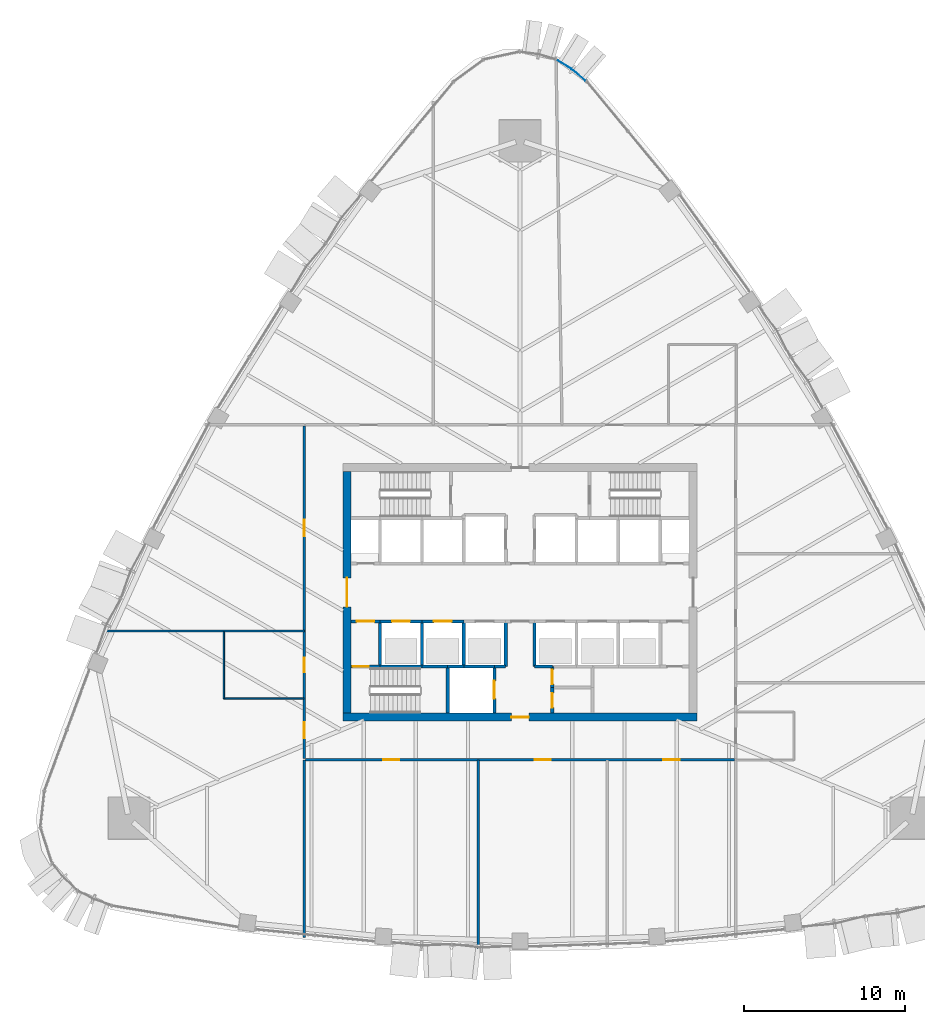
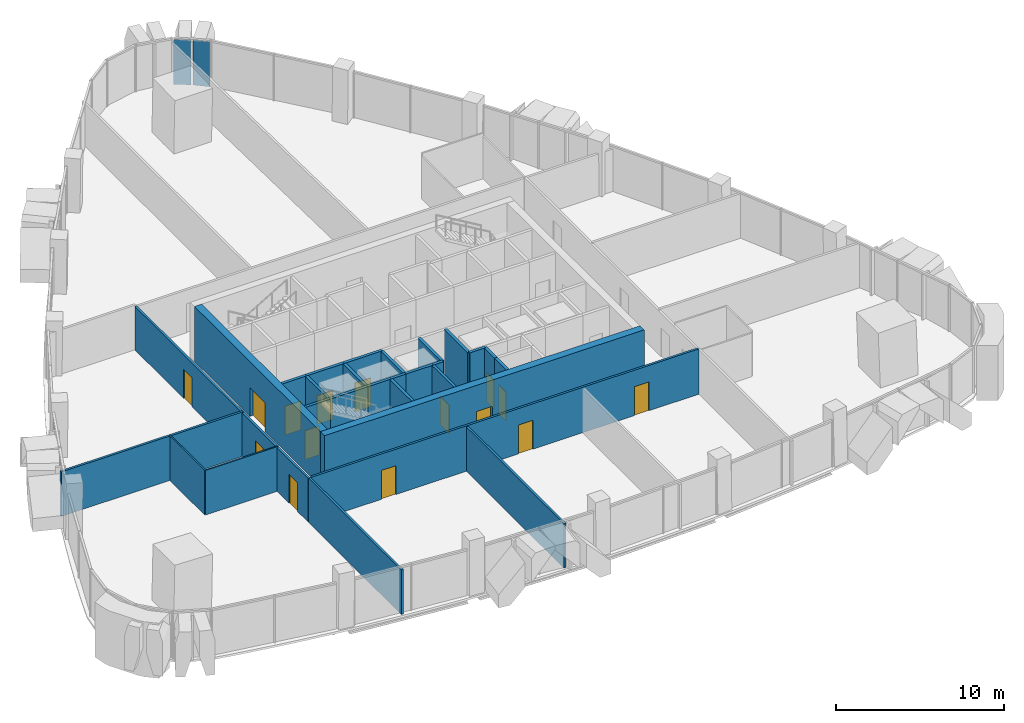
# One storey, part 10 of 17: 28 walls, 15 doors, 2 plates, 15 openings, 1 element without a shape of its own.
"""IFC4 building model written with IfcOpenShell, lengths in metres."""

from ifc_helpers import new_model, si_unit, direction, frame, frame_2d, origin, place, context, subcontext, project, spatial, polyline, rectangle, outline, extrude, material, layer, layer_set, type_object, element, fill, aggregate, save


model = new_model("IFC4")

# Units and contexts
model_context = context("Model", 3, precision=1e-05, world=origin(), true_north=direction((0.0, 1.0)))
body_context = subcontext(model_context, "Body", "Model", "MODEL_VIEW")
ifc_project = project(units=[si_unit("LENGTHUNIT", "METRE"), si_unit("AREAUNIT", "SQUARE_METRE"), si_unit("VOLUMEUNIT", "CUBIC_METRE"), si_unit("PLANEANGLEUNIT", "RADIAN"), si_unit("MASSUNIT", "GRAM", prefix="KILO")], contexts=[model_context])

# Site, building, storey
site_placement = place(None, origin())
site = spatial("IfcSite", under=ifc_project, at=site_placement, CompositionType="ELEMENT")
building_placement = place(site_placement, origin())
building = spatial("IfcBuilding", under=site, at=building_placement, Name="Sierra Prisma Convention Tower", CompositionType="ELEMENT")
storey_placement = place(building_placement, frame((0.0, 0.0, 153.800048828125)))
storey = spatial("IfcBuildingStorey", under=building, at=storey_placement, Name="L33", CompositionType="ELEMENT", Elevation=153.800048828125)

# Curtain wall, plates
ifc_material_1 = material(Name="Aluminium and glass curtain wall", Category="aluminium")
ifc_layer_1 = layer(ifc_material_1, 0.179931640625)
ifc_layer_set_1 = layer_set([ifc_layer_1], Name="CW-2 Faceted crystal curtain wall")
curtain_wall_type = type_object("IfcCurtainWallType", Name="CW-2 Faceted crystal curtain wall", PredefinedType="NOTDEFINED", material=ifc_layer_set_1)
curtain_wall_placement = place(storey_placement, origin())
curtain_wall = element("IfcCurtainWall", 1, at=curtain_wall_placement, inside=storey, type_object=curtain_wall_type, Name="CW-2 N1 L33", PredefinedType="NOTDEFINED")
ifc_material_2 = material(Name="Tinted glass bronze-grey IGU", Category="glass")
ifc_layer_2 = layer(ifc_material_2, 0.028076171875)
ifc_layer_set_2 = layer_set([ifc_layer_2], Name="CW-2 crystal pane")
plate_type = type_object("IfcPlateType", Name="CW-2 crystal pane", PredefinedType="CURTAIN_PANEL", material=ifc_layer_set_2)
plate_1_placement = place(storey_placement, frame((4.075439453125, 31.773193359375, 0.0), z_axis=(0.653762216473, 0.756700049103, 0.0), x_axis=(-0.756700049103, 0.653762216473, 0.0)))
plate_1 = element("IfcPlate", 2, at=plate_1_placement, type_object=plate_type, Name="CW-2 pane N1.1.1", PredefinedType="CURTAIN_PANEL", context=body_context, shape_type="SweptSolid", body=[
    extrude(outline(polyline([(0.0, 0.0), (1.0269585819324307, 0.0), (1.0269585819324307, 3.280029296875), (0.0, 3.280029296875), (0.0, 0.0)])), origin(), (0.0, 0.0, -1.0), 0.028076171875),
])
plate_2_placement = place(storey_placement, frame((2.32177734375, 33.062744140625, 0.0), z_axis=(0.527410214129, 0.849610773256, 0.0), x_axis=(0.849610773256, -0.527410214129, 0.0)))
plate_2 = element("IfcPlate", 3, at=plate_2_placement, type_object=plate_type, Name="CW-2 pane N1.1.2", PredefinedType="CURTAIN_PANEL", context=body_context, shape_type="SweptSolid", body=[
    extrude(outline(polyline([(0.0, 0.0), (1.026722448188787, 0.0), (1.026722448188787, -3.280029296875), (0.0, -3.280029296875), (0.0, 0.0)])), origin(), (0.0, 0.0, -1.0), 0.028076171875),
])
aggregate(curtain_wall, [plate_1, plate_2])

# Walls
ifc_material_3 = material(Name="Gypsum board partition", Category="gypsum")
ifc_layer_3 = layer(ifc_material_3, 0.10009765625)
ifc_layer_set_3 = layer_set([ifc_layer_3], Name="Bathroom partition 100")
wall_type_1 = type_object("IfcWallType", Name="Bathroom partition 100", PredefinedType="PARTITIONING", material=ifc_layer_set_3)
wall_1_placement = place(storey_placement, frame((-13.429931640625, -6.60009765625, 0.0), z_axis=(0.0, 0.0, 1.0), x_axis=(-1.0, 0.0, 0.0)))
element("IfcWall", 4, at=wall_1_placement, inside=storey, type_object=wall_type_1, Name="Partition L33 bath 1", PredefinedType="PARTITIONING", context=body_context, shape_type="SweptSolid", body=[
    extrude(rectangle(XDim=4.969970703125, YDim=0.10009765625, at=frame_2d((2.48486328125, 0.0))), origin(), (0.0, 0.0, 1.0), 3.2470703125),
])
wall_2_placement = place(storey_placement, frame((-18.39990234375, -6.60009765625, 0.0), z_axis=(0.0, 0.0, 1.0), x_axis=(0.0, 1.0, 0.0)))
element("IfcWall", 5, at=wall_2_placement, inside=storey, type_object=wall_type_1, Name="Partition L33 bath 2", PredefinedType="PARTITIONING", context=body_context, shape_type="SweptSolid", body=[
    extrude(rectangle(XDim=4.170166015625, YDim=0.10009765625, at=frame_2d((2.0849609375, 0.0))), origin(), (0.0, 0.0, 1.0), 3.2470703125),
])

# Wall, opening, door
ifc_material_4 = material(Name="Concrete C30/37", Category="concrete")
ifc_layer_4 = layer(ifc_material_4, 0.199951171875)
ifc_layer_set_4 = layer_set([ifc_layer_4], Name="Core wall RC 200 C30/37")
wall_type_2 = type_object("IfcWallType", Name="Core wall RC 200 C30/37", PredefinedType="SOLIDWALL", material=ifc_layer_set_4)
wall_3_placement = place(storey_placement, frame((-10.5, -4.60009765625, 0.0), z_axis=(0.0, 0.0, 1.0), x_axis=(1.0, 0.0, 0.0)))
wall_3 = element("IfcWall", 6, at=wall_3_placement, inside=storey, type_object=wall_type_2, Name="Core wall L33 1", PredefinedType="SOLIDWALL", context=body_context, shape_type="SweptSolid", body=[
    extrude(rectangle(XDim=1.800048828125, YDim=0.199951171875, at=frame_2d((0.89990234375, 0.0))), origin(), (0.0, 0.0, 1.0), 3.849853515625),
])
opening_1_placement = place(wall_3_placement, frame((0.10009765625, 0.0, 0.0)))
opening_1 = element("IfcOpeningElement", 7, at=opening_1_placement, cuts=wall_3, Name="Opening L33-D015", PredefinedType="OPENING", context=body_context, shape_type="SweptSolid", body=[
    extrude(rectangle(XDim=1.0, YDim=2.10009765625, at=frame_2d((0.5, 1.050048828125))), frame((0.0, 0.10009765625, 0.0), z_axis=(0.0, -1.0, 0.0), x_axis=(1.0, 0.0, 0.0)), (0.0, 0.0, 1.0), 0.199951171875),
])
ifc_material_5 = material(Name="Steel fire door leaf", Category="steel")
door_type_1 = type_object("IfcDoorType", Name="Door 1000x2100 FD90S", OperationType="SINGLE_SWING_LEFT", PredefinedType="DOOR", material=ifc_material_5)
door_1_placement = place(opening_1_placement, origin())
door_1 = element("IfcDoor", 8, at=door_1_placement, inside=storey, type_object=door_type_1, Name="Door L33 29", OperationType="SINGLE_SWING_LEFT", OverallHeight=2.10009765625, OverallWidth=1.0, PredefinedType="DOOR", context=body_context, shape_type="SweptSolid", body=[
    extrude(rectangle(XDim=1.0, YDim=2.10009765625, at=frame_2d((0.5, 1.050048828125))), frame((0.0, 0.02490234375, 0.0), z_axis=(0.0, -1.0, 0.0), x_axis=(1.0, 0.0, 0.0)), (0.0, 0.0, 1.0), 0.050048828125),
])
fill(opening_1, door_1)

wall_4_placement = place(storey_placement, frame((-10.5, -1.800048828125, 0.0), z_axis=(0.0, 0.0, 1.0), x_axis=(1.0, 0.0, 0.0)))
wall_4 = element("IfcWall", 9, at=wall_4_placement, inside=storey, type_object=wall_type_2, Name="Core wall L33 2", PredefinedType="SOLIDWALL", context=body_context, shape_type="SweptSolid", body=[
    extrude(rectangle(XDim=1.800048828125, YDim=0.199951171875, at=frame_2d((0.89990234375, 0.0))), origin(), (0.0, 0.0, 1.0), 3.849853515625),
])
opening_2_placement = place(wall_4_placement, frame((0.35009765625, 0.0, 0.0)))
opening_2 = element("IfcOpeningElement", 10, at=opening_2_placement, cuts=wall_4, Name="Opening L33-D010", PredefinedType="OPENING", context=body_context, shape_type="SweptSolid", body=[
    extrude(rectangle(XDim=1.10009765625, YDim=2.10009765625, at=frame_2d((0.550048828125, 1.050048828125))), frame((0.0, 0.10009765625, 0.0), z_axis=(0.0, -1.0, 0.0), x_axis=(1.0, 0.0, 0.0)), (0.0, 0.0, 1.0), 0.199951171875),
])
ifc_material_6 = material(Name="Steel fire door leaf", Category="steel")
door_type_2 = type_object("IfcDoorType", Name="Door 1100x2100 FD90S", OperationType="SINGLE_SWING_LEFT", PredefinedType="DOOR", material=ifc_material_6)
door_2_placement = place(opening_2_placement, origin())
door_2 = element("IfcDoor", 11, at=door_2_placement, inside=storey, type_object=door_type_2, Name="Door L33 24", OperationType="SINGLE_SWING_RIGHT", OverallHeight=2.10009765625, OverallWidth=1.10009765625, PredefinedType="DOOR", context=body_context, shape_type="SweptSolid", body=[
    extrude(rectangle(XDim=1.10009765625, YDim=2.10009765625, at=frame_2d((0.550048828125, 1.050048828125))), frame((0.0, 0.02490234375, 0.0), z_axis=(0.0, -1.0, 0.0), x_axis=(1.0, 0.0, 0.0)), (0.0, 0.0, 1.0), 0.050048828125),
])
fill(opening_2, door_2)

# Walls
wall_5_placement = place(storey_placement, frame((-8.699951171875, -4.60009765625, 0.0), z_axis=(0.0, 0.0, 1.0), x_axis=(1.0, 0.0, 0.0)))
element("IfcWall", 12, at=wall_5_placement, inside=storey, type_object=wall_type_2, Name="Core wall L33 5", PredefinedType="SOLIDWALL", context=body_context, shape_type="SweptSolid", body=[
    extrude(rectangle(XDim=2.599853515625, YDim=0.199951171875, at=frame_2d((1.2998046875, 0.0))), origin(), (0.0, 0.0, 1.0), 3.849853515625),
])
wall_6_placement = place(storey_placement, frame((-8.699951171875, -4.60009765625, 0.0), z_axis=(0.0, 0.0, 1.0), x_axis=(0.0, 1.0, 0.0)))
element("IfcWall", 13, at=wall_6_placement, inside=storey, type_object=wall_type_2, Name="Core wall L33 6", PredefinedType="SOLIDWALL", context=body_context, shape_type="SweptSolid", body=[
    extrude(rectangle(XDim=2.800048828125, YDim=0.199951171875, at=frame_2d((1.39990234375, 0.0))), origin(), (0.0, 0.0, 1.0), 3.849853515625),
])

# Wall, opening, door
wall_7_placement = place(storey_placement, frame((-8.699951171875, -1.800048828125, 0.0), z_axis=(0.0, 0.0, 1.0), x_axis=(1.0, 0.0, 0.0)))
wall_7 = element("IfcWall", 14, at=wall_7_placement, inside=storey, type_object=wall_type_2, Name="Core wall L33 7", PredefinedType="SOLIDWALL", context=body_context, shape_type="SweptSolid", body=[
    extrude(rectangle(XDim=2.599853515625, YDim=0.199951171875, at=frame_2d((1.2998046875, 0.0))), origin(), (0.0, 0.0, 1.0), 3.849853515625),
])
opening_3_placement = place(wall_7_placement, frame((0.75, 0.0, 0.0)))
opening_3 = element("IfcOpeningElement", 15, at=opening_3_placement, cuts=wall_7, Name="Opening L33-D001", PredefinedType="OPENING", context=body_context, shape_type="SweptSolid", body=[
    extrude(rectangle(XDim=1.10009765625, YDim=2.10009765625, at=frame_2d((0.550048828125, 1.050048828125))), frame((0.0, 0.10009765625, 0.0), z_axis=(0.0, -1.0, 0.0), x_axis=(1.0, 0.0, 0.0)), (0.0, 0.0, 1.0), 0.199951171875),
])
ifc_material_7 = material(Name="Steel fire door leaf", Category="steel")
door_type_3 = type_object("IfcDoorType", Name="Door 1100x2100 EI 90 sliding lift landing", OperationType="SLIDING_TO_LEFT", PredefinedType="DOOR", material=ifc_material_7)
door_3_placement = place(opening_3_placement, origin())
door_3 = element("IfcDoor", 16, at=door_3_placement, inside=storey, type_object=door_type_3, Name="Door L33 15", OperationType="SLIDING_TO_RIGHT", OverallHeight=2.10009765625, OverallWidth=1.10009765625, PredefinedType="DOOR", context=body_context, shape_type="SweptSolid", body=[
    extrude(rectangle(XDim=1.10009765625, YDim=2.10009765625, at=frame_2d((0.550048828125, 1.050048828125))), frame((0.0, 0.02490234375, 0.0), z_axis=(0.0, -1.0, 0.0), x_axis=(1.0, 0.0, 0.0)), (0.0, 0.0, 1.0), 0.050048828125),
])
fill(opening_3, door_3)

# Walls
wall_8_placement = place(storey_placement, frame((-6.10009765625, -4.60009765625, 0.0), z_axis=(0.0, 0.0, 1.0), x_axis=(1.0, 0.0, 0.0)))
element("IfcWall", 17, at=wall_8_placement, inside=storey, type_object=wall_type_2, Name="Core wall L33 11", PredefinedType="SOLIDWALL", context=body_context, shape_type="SweptSolid", body=[
    extrude(rectangle(XDim=1.60009765625, YDim=0.199951171875, at=frame_2d((0.800048828125, 0.0))), origin(), (0.0, 0.0, 1.0), 3.849853515625),
])
wall_9_placement = place(storey_placement, frame((-6.10009765625, -4.60009765625, 0.0), z_axis=(0.0, 0.0, 1.0), x_axis=(0.0, 1.0, 0.0)))
element("IfcWall", 18, at=wall_9_placement, inside=storey, type_object=wall_type_2, Name="Core wall L33 12", PredefinedType="SOLIDWALL", context=body_context, shape_type="SweptSolid", body=[
    extrude(rectangle(XDim=2.800048828125, YDim=0.199951171875, at=frame_2d((1.39990234375, 0.0))), origin(), (0.0, 0.0, 1.0), 3.849853515625),
])

# Wall, opening, door
wall_10_placement = place(storey_placement, frame((-6.10009765625, -1.800048828125, 0.0), z_axis=(0.0, 0.0, 1.0), x_axis=(1.0, 0.0, 0.0)))
wall_10 = element("IfcWall", 19, at=wall_10_placement, inside=storey, type_object=wall_type_2, Name="Core wall L33 13", PredefinedType="SOLIDWALL", context=body_context, shape_type="SweptSolid", body=[
    extrude(rectangle(XDim=2.60009765625, YDim=0.199951171875, at=frame_2d((1.300048828125, 0.0))), origin(), (0.0, 0.0, 1.0), 3.849853515625),
])
opening_4_placement = place(wall_10_placement, frame((0.75, 0.0, 0.0)))
opening_4 = element("IfcOpeningElement", 20, at=opening_4_placement, cuts=wall_10, Name="Opening L33-D002", PredefinedType="OPENING", context=body_context, shape_type="SweptSolid", body=[
    extrude(rectangle(XDim=1.10009765625, YDim=2.10009765625, at=frame_2d((0.550048828125, 1.050048828125))), frame((0.0, 0.10009765625, 0.0), z_axis=(0.0, -1.0, 0.0), x_axis=(1.0, 0.0, 0.0)), (0.0, 0.0, 1.0), 0.199951171875),
])
door_4_placement = place(opening_4_placement, origin())
door_4 = element("IfcDoor", 21, at=door_4_placement, inside=storey, type_object=door_type_3, Name="Door L33 16", OperationType="SLIDING_TO_LEFT", OverallHeight=2.10009765625, OverallWidth=1.10009765625, PredefinedType="DOOR", context=body_context, shape_type="SweptSolid", body=[
    extrude(rectangle(XDim=1.10009765625, YDim=2.10009765625, at=frame_2d((0.550048828125, 1.050048828125))), frame((0.0, 0.02490234375, 0.0), z_axis=(0.0, -1.0, 0.0), x_axis=(1.0, 0.0, 0.0)), (0.0, 0.0, 1.0), 0.050048828125),
])
fill(opening_4, door_4)

# Walls
wall_11_placement = place(storey_placement, frame((-4.5, -4.60009765625, 0.0), z_axis=(0.0, 0.0, 1.0), x_axis=(0.0, -1.0, 0.0)))
element("IfcWall", 22, at=wall_11_placement, inside=storey, type_object=wall_type_2, Name="Core wall L33 17", PredefinedType="SOLIDWALL", context=body_context, shape_type="SweptSolid", body=[
    extrude(rectangle(XDim=2.89990234375, YDim=0.199951171875, at=frame_2d((1.449951171875, 0.0))), origin(), (0.0, 0.0, 1.0), 3.849853515625),
])
wall_12_placement = place(storey_placement, frame((-4.5, -4.60009765625, 0.0), z_axis=(0.0, 0.0, 1.0), x_axis=(1.0, 0.0, 0.0)))
element("IfcWall", 23, at=wall_12_placement, inside=storey, type_object=wall_type_2, Name="Core wall L33 18", PredefinedType="SOLIDWALL", context=body_context, shape_type="SweptSolid", body=[
    extrude(rectangle(XDim=1.0, YDim=0.199951171875, at=frame_2d((0.5, 0.0))), origin(), (0.0, 0.0, 1.0), 3.849853515625),
])
wall_13_placement = place(storey_placement, frame((-3.5, -4.60009765625, 0.0), z_axis=(0.0, 0.0, 1.0), x_axis=(1.0, 0.0, 0.0)))
element("IfcWall", 24, at=wall_13_placement, inside=storey, type_object=wall_type_2, Name="Core wall L33 21", PredefinedType="SOLIDWALL", context=body_context, shape_type="SweptSolid", body=[
    extrude(rectangle(XDim=1.89990234375, YDim=0.199951171875, at=frame_2d((0.949951171875, 0.0))), origin(), (0.0, 0.0, 1.0), 3.849853515625),
])
wall_14_placement = place(storey_placement, frame((-3.5, -4.60009765625, 0.0), z_axis=(0.0, 0.0, 1.0), x_axis=(0.0, 1.0, 0.0)))
element("IfcWall", 25, at=wall_14_placement, inside=storey, type_object=wall_type_2, Name="Core wall L33 22", PredefinedType="SOLIDWALL", context=body_context, shape_type="SweptSolid", body=[
    extrude(rectangle(XDim=2.800048828125, YDim=0.199951171875, at=frame_2d((1.39990234375, 0.0))), origin(), (0.0, 0.0, 1.0), 3.849853515625),
])

# Wall, opening, door
wall_15_placement = place(storey_placement, frame((-1.60009765625, -7.5, 0.0), z_axis=(0.0, 0.0, 1.0), x_axis=(0.0, 1.0, 0.0)))
wall_15 = element("IfcWall", 26, at=wall_15_placement, inside=storey, type_object=wall_type_2, Name="Core wall L33 29", PredefinedType="SOLIDWALL", context=body_context, shape_type="SweptSolid", body=[
    extrude(rectangle(XDim=2.89990234375, YDim=0.199951171875, at=frame_2d((1.449951171875, 0.0))), origin(), (0.0, 0.0, 1.0), 3.849853515625),
])
opening_5_placement = place(wall_15_placement, frame((0.89990234375, 0.0, 0.0)))
opening_5 = element("IfcOpeningElement", 27, at=opening_5_placement, cuts=wall_15, Name="Opening L33-D009", PredefinedType="OPENING", context=body_context, shape_type="SweptSolid", body=[
    extrude(rectangle(XDim=1.10009765625, YDim=2.10009765625, at=frame_2d((0.550048828125, 1.050048828125))), frame((0.0, 0.10009765625, 0.0), z_axis=(0.0, -1.0, 0.0), x_axis=(1.0, 0.0, 0.0)), (0.0, 0.0, 1.0), 0.199951171875),
])
door_5_placement = place(opening_5_placement, origin())
door_5 = element("IfcDoor", 28, at=door_5_placement, inside=storey, type_object=door_type_3, Name="Door L33 23", OperationType="SLIDING_TO_RIGHT", OverallHeight=2.10009765625, OverallWidth=1.10009765625, PredefinedType="DOOR", context=body_context, shape_type="SweptSolid", body=[
    extrude(rectangle(XDim=1.10009765625, YDim=2.10009765625, at=frame_2d((0.550048828125, 1.050048828125))), frame((0.0, 0.02490234375, 0.0), z_axis=(0.0, -1.0, 0.0), x_axis=(1.0, 0.0, 0.0)), (0.0, 0.0, 1.0), 0.050048828125),
])
fill(opening_5, door_5)

# Walls
wall_16_placement = place(storey_placement, frame((-1.60009765625, -4.60009765625, 0.0), z_axis=(0.0, 0.0, 1.0), x_axis=(1.0, 0.0, 0.0)))
element("IfcWall", 29, at=wall_16_placement, inside=storey, type_object=wall_type_2, Name="Core wall L33 30", PredefinedType="SOLIDWALL", context=body_context, shape_type="SweptSolid", body=[
    extrude(rectangle(XDim=0.7001953125, YDim=0.199951171875, at=frame_2d((0.35009765625, 0.0))), origin(), (0.0, 0.0, 1.0), 3.849853515625),
])
for number, where, z_axis, x_axis, name in (
    (30, (-0.89990234375, -4.60009765625, 0.0), (0.0, 0.0, 1.0), (0.0, 1.0, 0.0), "Core wall L33 31"),
    (31, (0.89990234375, -1.800048828125, 0.0), (0.0, 0.0, 1.0), (0.0, -1.0, 0.0), "Core wall L33 35"),
):
    element("IfcWall", number, at=place(storey_placement, frame(where, z_axis=z_axis, x_axis=x_axis)), inside=storey, type_object=wall_type_2, Name=name, PredefinedType="SOLIDWALL", context=body_context, shape_type="SweptSolid", body=[
        extrude(rectangle(XDim=2.800048828125, YDim=0.199951171875, at=frame_2d((1.39990234375, 0.0))), origin(), (0.0, 0.0, 1.0), 3.849853515625),
    ])
wall_17_placement = place(storey_placement, frame((0.89990234375, -4.60009765625, 0.0), z_axis=(0.0, 0.0, 1.0), x_axis=(1.0, 0.0, 0.0)))
element("IfcWall", 32, at=wall_17_placement, inside=storey, type_object=wall_type_2, Name="Core wall L33 36", PredefinedType="SOLIDWALL", context=body_context, shape_type="SweptSolid", body=[
    extrude(rectangle(XDim=1.10009765625, YDim=0.199951171875, at=frame_2d((0.550048828125, 0.0))), origin(), (0.0, 0.0, 1.0), 3.849853515625),
])

# Wall, opening, door
wall_18_placement = place(storey_placement, frame((2.0, -5.89990234375, 0.0), z_axis=(0.0, 0.0, 1.0), x_axis=(0.0, -1.0, 0.0)))
wall_18 = element("IfcWall", 33, at=wall_18_placement, inside=storey, type_object=wall_type_2, Name="Core wall L33 41", PredefinedType="SOLIDWALL", context=body_context, shape_type="SweptSolid", body=[
    extrude(rectangle(XDim=1.60009765625, YDim=0.199951171875, at=frame_2d((0.800048828125, 0.0))), origin(), (0.0, 0.0, 1.0), 3.849853515625),
])
opening_6_placement = place(wall_18_placement, frame((0.35009765625, 0.0, 0.0)))
opening_6 = element("IfcOpeningElement", 34, at=opening_6_placement, cuts=wall_18, Name="Opening L33-D020", PredefinedType="OPENING", context=body_context, shape_type="SweptSolid", body=[
    extrude(rectangle(XDim=0.89990234375, YDim=2.10009765625, at=frame_2d((0.449951171875, 1.050048828125))), frame((0.0, 0.10009765625, 0.0), z_axis=(0.0, -1.0, 0.0), x_axis=(1.0, 0.0, 0.0)), (0.0, 0.0, 1.0), 0.199951171875),
])
ifc_material_8 = material(Name="Steel fire door leaf", Category="steel")
door_type_4 = type_object("IfcDoorType", Name="Door 900x2100 FD30S", OperationType="SINGLE_SWING_LEFT", PredefinedType="DOOR", material=ifc_material_8)
door_6_placement = place(opening_6_placement, origin())
door_6 = element("IfcDoor", 35, at=door_6_placement, inside=storey, type_object=door_type_4, Name="Door L33 34", OperationType="SINGLE_SWING_RIGHT", OverallHeight=2.10009765625, OverallWidth=0.89990234375, PredefinedType="DOOR", context=body_context, shape_type="SweptSolid", body=[
    extrude(rectangle(XDim=0.89990234375, YDim=2.10009765625, at=frame_2d((0.449951171875, 1.050048828125))), frame((0.0, 0.02490234375, 0.0), z_axis=(0.0, -1.0, 0.0), x_axis=(1.0, 0.0, 0.0)), (0.0, 0.0, 1.0), 0.050048828125),
])
fill(opening_6, door_6)

wall_19_placement = place(storey_placement, frame((2.0, -4.60009765625, 0.0), z_axis=(0.0, 0.0, 1.0), x_axis=(0.0, -1.0, 0.0)))
wall_19 = element("IfcWall", 36, at=wall_19_placement, inside=storey, type_object=wall_type_2, Name="Core wall L33 43", PredefinedType="SOLIDWALL", context=body_context, shape_type="SweptSolid", body=[
    extrude(rectangle(XDim=1.2998046875, YDim=0.199951171875, at=frame_2d((0.64990234375, 0.0))), origin(), (0.0, 0.0, 1.0), 3.849853515625),
])
opening_7_placement = place(wall_19_placement, frame((0.199951171875, 0.0, 0.0)))
opening_7 = element("IfcOpeningElement", 37, at=opening_7_placement, cuts=wall_19, Name="Opening L33-D021", PredefinedType="OPENING", context=body_context, shape_type="SweptSolid", body=[
    extrude(rectangle(XDim=0.89990234375, YDim=2.10009765625, at=frame_2d((0.449951171875, 1.050048828125))), frame((0.0, 0.10009765625, 0.0), z_axis=(0.0, -1.0, 0.0), x_axis=(1.0, 0.0, 0.0)), (0.0, 0.0, 1.0), 0.199951171875),
])
door_7_placement = place(opening_7_placement, origin())
door_7 = element("IfcDoor", 38, at=door_7_placement, inside=storey, type_object=door_type_4, Name="Door L33 35", OperationType="SINGLE_SWING_LEFT", OverallHeight=2.10009765625, OverallWidth=0.89990234375, PredefinedType="DOOR", context=body_context, shape_type="SweptSolid", body=[
    extrude(rectangle(XDim=0.89990234375, YDim=2.10009765625, at=frame_2d((0.449951171875, 1.050048828125))), frame((0.0, 0.02490234375, 0.0), z_axis=(0.0, -1.0, 0.0), x_axis=(1.0, 0.0, 0.0)), (0.0, 0.0, 1.0), 0.050048828125),
])
fill(opening_7, door_7)

ifc_material_9 = material(Name="Concrete C60/75", Category="concrete")
ifc_layer_5 = layer(ifc_material_9, 0.5)
ifc_layer_set_5 = layer_set([ifc_layer_5], Name="Core wall RC 500 C60/75")
wall_type_3 = type_object("IfcWallType", Name="Core wall RC 500 C60/75", PredefinedType="SHEAR", material=ifc_layer_set_5)
wall_20_placement = place(storey_placement, frame((-11.0, -7.75, 0.0), z_axis=(0.0, 0.0, 1.0), x_axis=(1.0, 0.0, 0.0)))
wall_20 = element("IfcWall", 39, at=wall_20_placement, inside=storey, type_object=wall_type_3, Name="Core wall S L33", PredefinedType="SHEAR", context=body_context, shape_type="SweptSolid", body=[
    extrude(rectangle(XDim=22.0, YDim=0.5, at=frame_2d((11.0, 0.0))), origin(), (0.0, 0.0, 1.0), 4.0),
])
opening_8_placement = place(wall_20_placement, frame((10.449951171875, 0.0, 0.0)))
opening_8 = element("IfcOpeningElement", 40, at=opening_8_placement, cuts=wall_20, Name="Opening L33-D038", PredefinedType="OPENING", context=body_context, shape_type="SweptSolid", body=[
    extrude(rectangle(XDim=1.10009765625, YDim=2.10009765625, at=frame_2d((0.550048828125, 1.050048828125))), frame((0.0, 0.25, 0.0), z_axis=(0.0, -1.0, 0.0), x_axis=(1.0, 0.0, 0.0)), (0.0, 0.0, 1.0), 0.5),
])
ifc_material_10 = material(Name="Steel fire door leaf", Category="steel")
door_type_5 = type_object("IfcDoorType", Name="Door 1100x2100 FD30S", OperationType="SINGLE_SWING_LEFT", PredefinedType="DOOR", material=ifc_material_10)
door_8_placement = place(opening_8_placement, origin())
door_8 = element("IfcDoor", 41, at=door_8_placement, inside=storey, type_object=door_type_5, Name="Door L33 39", OperationType="SINGLE_SWING_RIGHT", OverallHeight=2.10009765625, OverallWidth=1.10009765625, PredefinedType="DOOR", context=body_context, shape_type="SweptSolid", body=[
    extrude(rectangle(XDim=1.10009765625, YDim=2.10009765625, at=frame_2d((0.550048828125, 1.050048828125))), frame((0.0, 0.02490234375, 0.0), z_axis=(0.0, -1.0, 0.0), x_axis=(1.0, 0.0, 0.0)), (0.0, 0.0, 1.0), 0.050048828125),
])
fill(opening_8, door_8)

wall_21_placement = place(storey_placement, frame((-10.75, -7.5, 0.0), z_axis=(0.0, 0.0, 1.0), x_axis=(0.0, 1.0, 0.0)))
wall_21 = element("IfcWall", 42, at=wall_21_placement, inside=storey, type_object=wall_type_3, Name="Core wall W L33", PredefinedType="SHEAR", context=body_context, shape_type="SweptSolid", body=[
    extrude(rectangle(XDim=15.0, YDim=0.5, at=frame_2d((7.5, 0.0))), origin(), (0.0, 0.0, 1.0), 4.0),
])
opening_9_placement = place(wall_21_placement, frame((6.60009765625, 0.0, 0.0)))
opening_9 = element("IfcOpeningElement", 43, at=opening_9_placement, cuts=wall_21, Name="Opening L33-D039", PredefinedType="OPENING", context=body_context, shape_type="SweptSolid", body=[
    extrude(rectangle(XDim=1.800048828125, YDim=2.10009765625, at=frame_2d((0.89990234375, 1.050048828125))), frame((0.0, 0.25, 0.0), z_axis=(0.0, -1.0, 0.0), x_axis=(1.0, 0.0, 0.0)), (0.0, 0.0, 1.0), 0.5),
])
ifc_material_11 = material(Name="Steel fire door leaf", Category="steel")
door_type_6 = type_object("IfcDoorType", Name="Door 1800x2100 FD60S", OperationType="DOUBLE_DOOR_SINGLE_SWING", PredefinedType="DOOR", material=ifc_material_11)
door_9_placement = place(opening_9_placement, origin())
door_9 = element("IfcDoor", 44, at=door_9_placement, inside=storey, type_object=door_type_6, Name="Door L33 36", OperationType="DOUBLE_DOOR_SINGLE_SWING", OverallHeight=2.10009765625, OverallWidth=1.800048828125, PredefinedType="DOOR", context=body_context, shape_type="SweptSolid", body=[
    extrude(rectangle(XDim=1.800048828125, YDim=2.10009765625, at=frame_2d((0.89990234375, 1.050048828125))), frame((0.0, 0.02490234375, 0.0), z_axis=(0.0, -1.0, 0.0), x_axis=(1.0, 0.0, 0.0)), (0.0, 0.0, 1.0), 0.050048828125),
])
fill(opening_9, door_9)

# Wall, openings, doors
ifc_material_12 = material(Name="Gypsum board partition", Category="gypsum")
ifc_layer_6 = layer(ifc_material_12, 0.14990234375)
ifc_layer_set_6 = layer_set([ifc_layer_6], Name="Corridor wall 150 gypsum EI 60")
wall_type_4 = type_object("IfcWallType", Name="Corridor wall 150 gypsum EI 60", PredefinedType="PARTITIONING", material=ifc_layer_set_6)
wall_22_placement = place(storey_placement, frame((-13.39990234375, 10.320068359375, 0.0), z_axis=(0.0, 0.0, 1.0), x_axis=(0.0, -1.0, 0.0)))
wall_22 = element("IfcWall", 45, at=wall_22_placement, inside=storey, type_object=wall_type_4, Name="Partition L33 corr 1", PredefinedType="PARTITIONING", context=body_context, shape_type="SweptSolid", body=[
    extrude(rectangle(XDim=20.64013671875, YDim=0.14990234375, at=frame_2d((10.320068359375, 0.0))), origin(), (0.0, 0.0, 1.0), 3.166015625),
])
opening_10_placement = place(wall_22_placement, frame((5.820068359375, 0.0, 0.0)))
opening_10 = element("IfcOpeningElement", 46, at=opening_10_placement, cuts=wall_22, Name="Opening L33-D027", PredefinedType="OPENING", context=body_context, shape_type="SweptSolid", body=[
    extrude(rectangle(XDim=1.0, YDim=2.10009765625, at=frame_2d((0.5, 1.050048828125))), frame((0.0, 0.074951171875, 0.0), z_axis=(0.0, -1.0, 0.0), x_axis=(1.0, 0.0, 0.0)), (0.0, 0.0, 1.0), 0.14990234375),
])
opening_11_placement = place(wall_22_placement, frame((14.3701171875, 0.0, 0.0)))
opening_11 = element("IfcOpeningElement", 47, at=opening_11_placement, cuts=wall_22, Name="Opening L33-D028", PredefinedType="OPENING", context=body_context, shape_type="SweptSolid", body=[
    extrude(rectangle(XDim=0.89990234375, YDim=2.10009765625, at=frame_2d((0.449951171875, 1.050048828125))), frame((0.0, 0.074951171875, 0.0), z_axis=(0.0, -1.0, 0.0), x_axis=(1.0, 0.0, 0.0)), (0.0, 0.0, 1.0), 0.14990234375),
])
opening_12_placement = place(wall_22_placement, frame((18.3798828125, 0.0, 0.0)))
opening_12 = element("IfcOpeningElement", 48, at=opening_12_placement, cuts=wall_22, Name="Opening L33-D029", PredefinedType="OPENING", context=body_context, shape_type="SweptSolid", body=[
    extrude(rectangle(XDim=1.0, YDim=2.10009765625, at=frame_2d((0.5, 1.050048828125))), frame((0.0, 0.074951171875, 0.0), z_axis=(0.0, -1.0, 0.0), x_axis=(1.0, 0.0, 0.0)), (0.0, 0.0, 1.0), 0.14990234375),
])
ifc_material_13 = material(Name="Steel fire door leaf", Category="steel")
door_type_7 = type_object("IfcDoorType", Name="Door 1000x2100 FD30S", OperationType="SINGLE_SWING_LEFT", PredefinedType="DOOR", material=ifc_material_13)
door_10_placement = place(opening_10_placement, origin())
door_10 = element("IfcDoor", 49, at=door_10_placement, inside=storey, type_object=door_type_7, Name="Door L33 6", OperationType="SINGLE_SWING_LEFT", OverallHeight=2.10009765625, OverallWidth=1.0, PredefinedType="DOOR", context=body_context, shape_type="SweptSolid", body=[
    extrude(rectangle(XDim=1.0, YDim=2.10009765625, at=frame_2d((0.5, 1.050048828125))), frame((0.0, 0.02490234375, 0.0), z_axis=(0.0, -1.0, 0.0), x_axis=(1.0, 0.0, 0.0)), (0.0, 0.0, 1.0), 0.050048828125),
])
fill(opening_10, door_10)
door_11_placement = place(opening_12_placement, origin())
door_11 = element("IfcDoor", 50, at=door_11_placement, inside=storey, type_object=door_type_7, Name="Door L33 8", OperationType="SINGLE_SWING_LEFT", OverallHeight=2.10009765625, OverallWidth=1.0, PredefinedType="DOOR", context=body_context, shape_type="SweptSolid", body=[
    extrude(rectangle(XDim=1.0, YDim=2.10009765625, at=frame_2d((0.5, 1.050048828125))), frame((0.0, 0.02490234375, 0.0), z_axis=(0.0, -1.0, 0.0), x_axis=(1.0, 0.0, 0.0)), (0.0, 0.0, 1.0), 0.050048828125),
])
fill(opening_12, door_11)
door_12_placement = place(opening_11_placement, origin())
door_12 = element("IfcDoor", 51, at=door_12_placement, inside=storey, type_object=door_type_4, Name="Door L33 7", OperationType="SINGLE_SWING_LEFT", OverallHeight=2.10009765625, OverallWidth=0.89990234375, PredefinedType="DOOR", context=body_context, shape_type="SweptSolid", body=[
    extrude(rectangle(XDim=0.89990234375, YDim=2.10009765625, at=frame_2d((0.449951171875, 1.050048828125))), frame((0.0, 0.02490234375, 0.0), z_axis=(0.0, -1.0, 0.0), x_axis=(1.0, 0.0, 0.0)), (0.0, 0.0, 1.0), 0.050048828125),
])
fill(opening_11, door_12)

wall_23_placement = place(storey_placement, frame((-13.320068359375, -10.39990234375, 0.0), z_axis=(0.0, 0.0, 1.0), x_axis=(1.0, 0.0, 0.0)))
wall_23 = element("IfcWall", 52, at=wall_23_placement, inside=storey, type_object=wall_type_4, Name="Partition L33 corr 2", PredefinedType="PARTITIONING", context=body_context, shape_type="SweptSolid", body=[
    extrude(rectangle(XDim=26.64013671875, YDim=0.14990234375, at=frame_2d((13.320068359375, 0.0))), origin(), (0.0, 0.0, 1.0), 3.300048828125),
])
opening_13_placement = place(wall_23_placement, frame((4.820068359375, 0.0, 0.0)))
opening_13 = element("IfcOpeningElement", 53, at=opening_13_placement, cuts=wall_23, Name="Opening L33-D030", PredefinedType="OPENING", context=body_context, shape_type="SweptSolid", body=[
    extrude(rectangle(XDim=1.0, YDim=2.10009765625, at=frame_2d((0.5, 1.050048828125))), frame((0.0, 0.074951171875, 0.0), z_axis=(0.0, -1.0, 0.0), x_axis=(1.0, 0.0, 0.0)), (0.0, 0.0, 1.0), 0.14990234375),
])
opening_14_placement = place(wall_23_placement, frame((14.219970703125, 0.0, 0.0)))
opening_14 = element("IfcOpeningElement", 54, at=opening_14_placement, cuts=wall_23, Name="Opening L33-D031", PredefinedType="OPENING", context=body_context, shape_type="SweptSolid", body=[
    extrude(rectangle(XDim=1.0, YDim=2.10009765625, at=frame_2d((0.5, 1.050048828125))), frame((0.0, 0.074951171875, 0.0), z_axis=(0.0, -1.0, 0.0), x_axis=(1.0, 0.0, 0.0)), (0.0, 0.0, 1.0), 0.14990234375),
])
opening_15_placement = place(wall_23_placement, frame((22.219970703125, 0.0, 0.0)))
opening_15 = element("IfcOpeningElement", 55, at=opening_15_placement, cuts=wall_23, Name="Opening L33-D032", PredefinedType="OPENING", context=body_context, shape_type="SweptSolid", body=[
    extrude(rectangle(XDim=1.0, YDim=2.10009765625, at=frame_2d((0.5, 1.050048828125))), frame((0.0, 0.074951171875, 0.0), z_axis=(0.0, -1.0, 0.0), x_axis=(1.0, 0.0, 0.0)), (0.0, 0.0, 1.0), 0.14990234375),
])
door_13_placement = place(opening_13_placement, origin())
door_13 = element("IfcDoor", 56, at=door_13_placement, inside=storey, type_object=door_type_7, Name="Door L33 9", OperationType="SINGLE_SWING_LEFT", OverallHeight=2.10009765625, OverallWidth=1.0, PredefinedType="DOOR", context=body_context, shape_type="SweptSolid", body=[
    extrude(rectangle(XDim=1.0, YDim=2.10009765625, at=frame_2d((0.5, 1.050048828125))), frame((0.0, 0.02490234375, 0.0), z_axis=(0.0, -1.0, 0.0), x_axis=(1.0, 0.0, 0.0)), (0.0, 0.0, 1.0), 0.050048828125),
])
fill(opening_13, door_13)
door_14_placement = place(opening_14_placement, origin())
door_14 = element("IfcDoor", 57, at=door_14_placement, inside=storey, type_object=door_type_7, Name="Door L33 10", OperationType="SINGLE_SWING_LEFT", OverallHeight=2.10009765625, OverallWidth=1.0, PredefinedType="DOOR", context=body_context, shape_type="SweptSolid", body=[
    extrude(rectangle(XDim=1.0, YDim=2.10009765625, at=frame_2d((0.5, 1.050048828125))), frame((0.0, 0.02490234375, 0.0), z_axis=(0.0, -1.0, 0.0), x_axis=(1.0, 0.0, 0.0)), (0.0, 0.0, 1.0), 0.050048828125),
])
fill(opening_14, door_14)
door_15_placement = place(opening_15_placement, origin())
door_15 = element("IfcDoor", 58, at=door_15_placement, inside=storey, type_object=door_type_7, Name="Door L33 11", OperationType="SINGLE_SWING_LEFT", OverallHeight=2.10009765625, OverallWidth=1.0, PredefinedType="DOOR", context=body_context, shape_type="SweptSolid", body=[
    extrude(rectangle(XDim=1.0, YDim=2.10009765625, at=frame_2d((0.5, 1.050048828125))), frame((0.0, 0.02490234375, 0.0), z_axis=(0.0, -1.0, 0.0), x_axis=(1.0, 0.0, 0.0)), (0.0, 0.0, 1.0), 0.050048828125),
])
fill(opening_15, door_15)

# Walls
ifc_material_14 = material(Name="Gypsum board partition", Category="gypsum")
ifc_layer_7 = layer(ifc_material_14, 0.14990234375)
ifc_layer_set_7 = layer_set([ifc_layer_7], Name="Party wall 150 gypsum")
wall_type_5 = type_object("IfcWallType", Name="Party wall 150 gypsum", PredefinedType="PARTITIONING", material=ifc_layer_set_7)
wall_24_placement = place(storey_placement, frame((-13.39990234375, -2.39990234375, 0.0), z_axis=(0.0, 0.0, 1.0), x_axis=(-1.0, 0.0, 0.0)))
element("IfcWall", 59, at=wall_24_placement, inside=storey, type_object=wall_type_5, Name="Partition L33 party 1", PredefinedType="PARTITIONING", context=body_context, shape_type="SweptSolid", body=[
    extrude(rectangle(XDim=12.521484375, YDim=0.14990234375, at=frame_2d((6.2607421875, 0.0))), origin(), (0.0, 0.0, 1.0), 3.23388671875),
])
wall_25_placement = place(storey_placement, frame((-13.39990234375, -10.39990234375, 0.0), z_axis=(0.0, 0.0, 1.0), x_axis=(0.0, -1.0, 0.0)))
element("IfcWall", 60, at=wall_25_placement, inside=storey, type_object=wall_type_5, Name="Partition L33 party 3", PredefinedType="PARTITIONING", context=body_context, shape_type="SweptSolid", body=[
    extrude(rectangle(XDim=11.034423828125, YDim=0.14990234375, at=frame_2d((5.51708984375, 0.0))), origin(), (0.0, 0.0, 1.0), 3.23388671875),
])
wall_26_placement = place(storey_placement, frame((-2.60009765625, -10.39990234375, 0.0), z_axis=(0.0, 0.0, 1.0), x_axis=(0.0, -1.0, 0.0)))
element("IfcWall", 61, at=wall_26_placement, inside=storey, type_object=wall_type_5, Name="Partition L33 party 5", PredefinedType="PARTITIONING", context=body_context, shape_type="SweptSolid", body=[
    extrude(rectangle(XDim=11.7158203125, YDim=0.14990234375, at=frame_2d((5.85791015625, 0.0))), origin(), (0.0, 0.0, 1.0), 3.23388671875),
])

save(model, "model.ifc")
